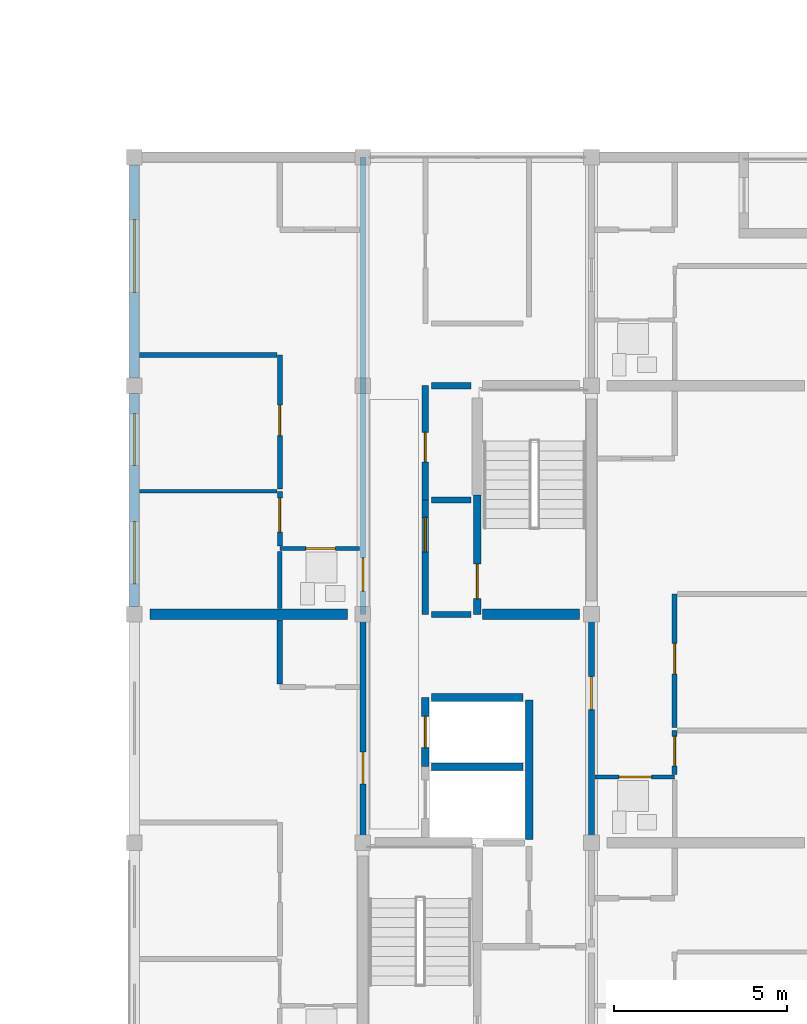
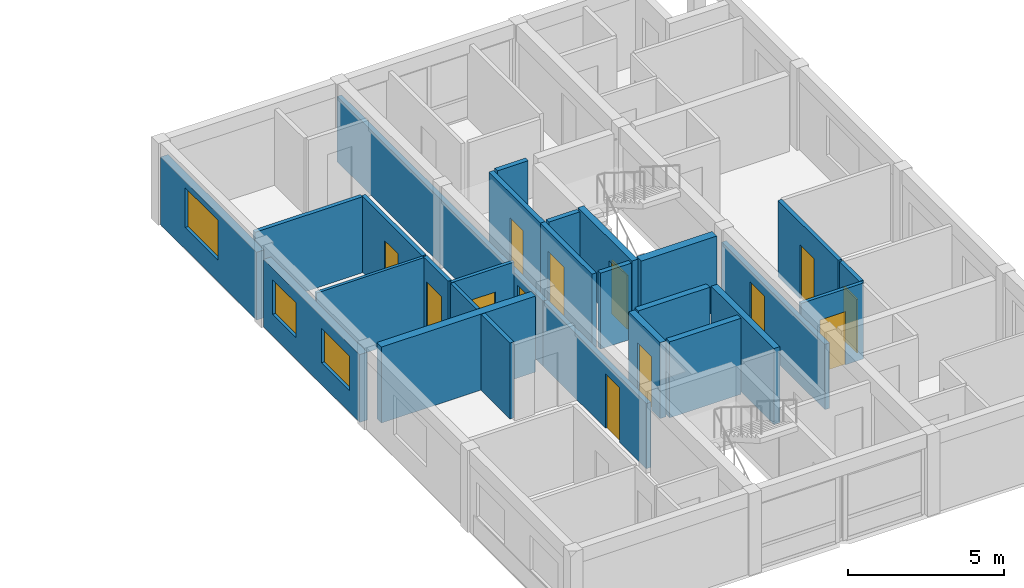
# One storey, part 29 of 46: 27 walls, 13 doors, 3 windows, 16 openings.
"""IFC4 building model written with IfcOpenShell, lengths in metres."""

from ifc_helpers import new_model, si_unit, direction, frame, frame_2d, origin, place, context, subcontext, project, spatial, rectangle, extrude, material, layer, layer_set, type_object, element, fill, save


model = new_model("IFC4")

# Units and contexts
model_context = context("Model", 3, precision=1e-05, world=origin(), true_north=direction((0.0, 1.0)))
body_context = subcontext(model_context, "Body", "Model", "MODEL_VIEW")
ifc_project = project(units=[si_unit("LENGTHUNIT", "METRE"), si_unit("AREAUNIT", "SQUARE_METRE"), si_unit("VOLUMEUNIT", "CUBIC_METRE"), si_unit("PLANEANGLEUNIT", "RADIAN"), si_unit("MASSUNIT", "GRAM", prefix="KILO")], contexts=[model_context])

# Site, building, storey
site_placement = place(None, origin())
site = spatial("IfcSite", under=ifc_project, at=site_placement, CompositionType="ELEMENT")
building_placement = place(site_placement, origin())
building = spatial("IfcBuilding", under=site, at=building_placement, Name="Kernevlak Ridge Housing Community", CompositionType="ELEMENT")
storey_placement = place(building_placement, frame((0.0, 0.0, 27.60009765625)))
storey = spatial("IfcBuildingStorey", under=building, at=storey_placement, Name="L08", CompositionType="ELEMENT", Elevation=27.60009765625)

# Wall, openings, windows
ifc_material_1 = material(Name="Concrete block masonry M10", Category="masonry")
ifc_layer_1 = layer(ifc_material_1, 0.280029296875, Name="Concrete block masonry M10")
ifc_layer_set_1 = layer_set([ifc_layer_1], Name="Concrete block masonry M10")
wall_type_1 = type_object("IfcWallType", Name="EW-03", PredefinedType="STANDARD", material=ifc_layer_set_1)
wall_1_placement = place(storey_placement, frame((126.0, 29.02490234375, 0.0), z_axis=(0.0, 0.0, 1.0), x_axis=(0.0, 1.0, 0.0)))
wall_1 = element("IfcWall", 1, at=wall_1_placement, inside=storey, type_object=wall_type_1, Name="Exterior wall EW-03 L08 644", PredefinedType="STANDARD", context=body_context, shape_type="SweptSolid", body=[
    extrude(rectangle(XDim=6.150146484375, YDim=0.280029296875, at=frame_2d((3.0751953125, 0.0))), origin(), (0.0, 0.0, 1.0), 2.64990234375),
])
opening_1_placement = place(wall_1_placement, frame((0.64990234375, 0.0, 0.85009765625)))
opening_1 = element("IfcOpeningElement", 2, at=opening_1_placement, cuts=wall_1, Name="Opening WT-03", PredefinedType="OPENING", context=body_context, shape_type="SweptSolid", body=[
    extrude(rectangle(XDim=1.800048828125, YDim=1.35009765625, at=frame_2d((0.89990234375, 0.675048828125))), frame((0.0, 0.14990234375, 0.0), z_axis=(0.0, -1.0, 0.0), x_axis=(1.0, 0.0, 0.0)), (0.0, 0.0, 1.0), 0.300048828125),
])
opening_2_placement = place(wall_1_placement, frame((4.074951171875, 0.0, 0.85009765625)))
opening_2 = element("IfcOpeningElement", 3, at=opening_2_placement, cuts=wall_1, Name="Opening WT-02", PredefinedType="OPENING", context=body_context, shape_type="SweptSolid", body=[
    extrude(rectangle(XDim=1.5, YDim=1.35009765625, at=frame_2d((0.75, 0.675048828125))), frame((0.0, 0.14990234375, 0.0), z_axis=(0.0, -1.0, 0.0), x_axis=(1.0, 0.0, 0.0)), (0.0, 0.0, 1.0), 0.300048828125),
])
ifc_material_2 = material(Name="Aluminium EN AW-6060 anodised and laminated glass", Category="aluminium")
window_type_1 = type_object("IfcWindowType", Name="WT-02", PartitioningType="SINGLE_PANEL", PredefinedType="WINDOW", material=ifc_material_2)
window_1_placement = place(opening_2_placement, origin())
window_1 = element("IfcWindow", 4, at=window_1_placement, inside=storey, type_object=window_type_1, Name="Window WT-02 L08 524", OverallHeight=1.35009765625, OverallWidth=1.5, PartitioningType="SINGLE_PANEL", PredefinedType="WINDOW", context=body_context, shape_type="SweptSolid", body=[
    extrude(rectangle(XDim=1.5, YDim=1.35009765625, at=frame_2d((0.75, 0.675048828125))), frame((0.0, 0.030029296875, 0.0), z_axis=(0.0, -1.0, 0.0), x_axis=(1.0, 0.0, 0.0)), (0.0, 0.0, 1.0), 0.06005859375),
])
fill(opening_2, window_1)
window_type_2 = type_object("IfcWindowType", Name="WT-03", PartitioningType="SINGLE_PANEL", PredefinedType="WINDOW", material=ifc_material_2)
window_2_placement = place(opening_1_placement, origin())
window_2 = element("IfcWindow", 5, at=window_2_placement, inside=storey, type_object=window_type_2, Name="Window WT-03 L08 523", OverallHeight=1.35009765625, OverallWidth=1.800048828125, PartitioningType="SINGLE_PANEL", PredefinedType="WINDOW", context=body_context, shape_type="SweptSolid", body=[
    extrude(rectangle(XDim=1.800048828125, YDim=1.35009765625, at=frame_2d((0.89990234375, 0.675048828125))), frame((0.0, 0.030029296875, 0.0), z_axis=(0.0, -1.0, 0.0), x_axis=(1.0, 0.0, 0.0)), (0.0, 0.0, 1.0), 0.06005859375),
])
fill(opening_1, window_2)

# Wall, opening, window
wall_2_placement = place(storey_placement, frame((126.0, 35.625, 0.0), z_axis=(0.0, 0.0, 1.0), x_axis=(0.0, 1.0, 0.0)))
wall_2 = element("IfcWall", 6, at=wall_2_placement, inside=storey, type_object=wall_type_1, Name="Exterior wall EW-03 L08 645", PredefinedType="STANDARD", context=body_context, shape_type="SweptSolid", body=[
    extrude(rectangle(XDim=6.14990234375, YDim=0.280029296875, at=frame_2d((3.074951171875, 0.0))), origin(), (0.0, 0.0, 1.0), 2.64990234375),
])
opening_3_placement = place(wall_2_placement, frame((2.470947265625, 0.0, 0.85009765625)))
opening_3 = element("IfcOpeningElement", 7, at=opening_3_placement, cuts=wall_2, Name="Opening WT-05", PredefinedType="OPENING", context=body_context, shape_type="SweptSolid", body=[
    extrude(rectangle(XDim=2.10009765625, YDim=1.550048828125, at=frame_2d((1.050048828125, 0.77490234375))), frame((0.0, 0.14990234375, 0.0), z_axis=(0.0, -1.0, 0.0), x_axis=(1.0, 0.0, 0.0)), (0.0, 0.0, 1.0), 0.300048828125),
])
window_type_3 = type_object("IfcWindowType", Name="WT-05", PartitioningType="SINGLE_PANEL", PredefinedType="WINDOW", material=ifc_material_2)
window_3_placement = place(opening_3_placement, origin())
window_3 = element("IfcWindow", 8, at=window_3_placement, inside=storey, type_object=window_type_3, Name="Window WT-05 L08 525", OverallHeight=1.550048828125, OverallWidth=2.10009765625, PartitioningType="SINGLE_PANEL", PredefinedType="WINDOW", context=body_context, shape_type="SweptSolid", body=[
    extrude(rectangle(XDim=2.10009765625, YDim=1.550048828125, at=frame_2d((1.050048828125, 0.77490234375))), frame((0.0, 0.030029296875, 0.0), z_axis=(0.0, -1.0, 0.0), x_axis=(1.0, 0.0, 0.0)), (0.0, 0.0, 1.0), 0.06005859375),
])
fill(opening_3, window_3)

# Wall, opening, door
ifc_material_3 = material(Name="Concrete C35/45", Category="concrete")
ifc_layer_2 = layer(ifc_material_3, 0.22509765625, Name="Concrete C35/45")
ifc_layer_set_2 = layer_set([ifc_layer_2], Name="Concrete C35/45")
wall_type_2 = type_object("IfcWallType", Name="PW-01", PredefinedType="STANDARD", material=ifc_layer_set_2)
wall_3_placement = place(storey_placement, frame((134.39990234375, 24.39990234375, 0.0), z_axis=(0.0, 0.0, 1.0), x_axis=(0.0, 1.0, 0.0)))
wall_3 = element("IfcWall", 9, at=wall_3_placement, inside=storey, type_object=wall_type_2, Name="Interior wall PW-01 WAL-INT-L08-2612", PredefinedType="STANDARD", context=body_context, shape_type="SweptSolid", body=[
    extrude(rectangle(XDim=2.0, YDim=0.22509765625, at=frame_2d((1.0, 0.0))), origin(), (0.0, 0.0, 1.0), 2.969970703125),
])
opening_4_placement = place(wall_3_placement, frame((0.550048828125, 0.0, 0.0)))
opening_4 = element("IfcOpeningElement", 10, at=opening_4_placement, cuts=wall_3, Name="Opening LD72", PredefinedType="OPENING", context=body_context, shape_type="SweptSolid", body=[
    extrude(rectangle(XDim=0.89990234375, YDim=2.10009765625, at=frame_2d((0.449951171875, 1.050048828125))), frame((0.0, 0.12255859375, 0.0), z_axis=(0.0, -1.0, 0.0), x_axis=(1.0, 0.0, 0.0)), (0.0, 0.0, 1.0), 0.2451171875),
])
ifc_material_4 = material(Name="Stainless steel EN 1.4401", Category="steel")
door_type_1 = type_object("IfcDoorType", Name="DT-LD2", OperationType="DOUBLE_DOOR_SLIDING", PredefinedType="DOOR", material=ifc_material_4)
door_1_placement = place(opening_4_placement, origin())
door_1 = element("IfcDoor", 11, at=door_1_placement, inside=storey, type_object=door_type_1, Name="Lift LF-C2 landing door LD72", OperationType="DOUBLE_DOOR_SLIDING", OverallHeight=2.10009765625, OverallWidth=0.89990234375, PredefinedType="DOOR", context=body_context, shape_type="SweptSolid", body=[
    extrude(rectangle(XDim=0.89990234375, YDim=2.10009765625, at=frame_2d((0.449951171875, 1.050048828125))), frame((0.0, 0.02490234375, 0.0), z_axis=(0.0, -1.0, 0.0), x_axis=(1.0, 0.0, 0.0)), (0.0, 0.0, 1.0), 0.050048828125),
])
fill(opening_4, door_1)

# Walls
wall_4_placement = place(storey_placement, frame((137.39990234375, 22.297607421875, 0.0), z_axis=(0.0, 0.0, 1.0), x_axis=(0.0, 1.0, 0.0)))
element("IfcWall", 12, at=wall_4_placement, inside=storey, type_object=wall_type_2, Name="Interior wall PW-01 WAL-INT-L08-2613", PredefinedType="STANDARD", context=body_context, shape_type="SweptSolid", body=[
    extrude(rectangle(XDim=4.0224609375, YDim=0.22509765625, at=frame_2d((2.01123046875, 0.0))), origin(), (0.0, 0.0, 1.0), 2.969970703125),
])
for number, where, z_axis, x_axis, name in (
    (13, (134.580078125, 24.39990234375, 0.0), (0.0, 0.0, 1.0), (1.0, 0.0, 0.0), "Interior wall PW-01 WAL-INT-L08-2615"),
    (14, (134.580078125, 26.39990234375, 0.0), (0.0, 0.0, 1.0), (1.0, 0.0, 0.0), "Interior wall PW-01 WAL-INT-L08-2616"),
):
    element("IfcWall", number, at=place(storey_placement, frame(where, z_axis=z_axis, x_axis=x_axis)), inside=storey, type_object=wall_type_2, Name=name, PredefinedType="STANDARD", context=body_context, shape_type="SweptSolid", body=[
        extrude(rectangle(XDim=2.639892578125, YDim=0.22509765625, at=frame_2d((1.31982421875, 0.0))), origin(), (0.0, 0.0, 1.0), 2.969970703125),
    ])

# Wall, opening, door
wall_5_placement = place(storey_placement, frame((135.89990234375, 28.800048828125, 0.0), z_axis=(0.0, 0.0, 1.0), x_axis=(0.0, 1.0, 0.0)))
wall_5 = element("IfcWall", 15, at=wall_5_placement, inside=storey, type_object=wall_type_2, Name="Interior wall PW-01 WAL-INT-L08-2617", PredefinedType="STANDARD", context=body_context, shape_type="SweptSolid", body=[
    extrude(rectangle(XDim=3.449951171875, YDim=0.22509765625, at=frame_2d((1.72509765625, 0.0))), origin(), (0.0, 0.0, 1.0), 2.969970703125),
])
opening_5_placement = place(wall_5_placement, frame((0.449951171875, 0.0, 0.0)))
opening_5 = element("IfcOpeningElement", 16, at=opening_5_placement, cuts=wall_5, Name="Opening E326", PredefinedType="OPENING", context=body_context, shape_type="SweptSolid", body=[
    extrude(rectangle(XDim=1.0, YDim=2.10009765625, at=frame_2d((0.5, 1.050048828125))), frame((0.0, 0.12255859375, 0.0), z_axis=(0.0, -1.0, 0.0), x_axis=(1.0, 0.0, 0.0)), (0.0, 0.0, 1.0), 0.2451171875),
])
ifc_material_5 = material(Name="Fire-rated sheet steel leaf", Category="steel")
door_type_2 = type_object("IfcDoorType", Name="DT-05", OperationType="NOTDEFINED", PredefinedType="DOOR", material=ifc_material_5)
door_2_placement = place(opening_5_placement, origin())
door_2 = element("IfcDoor", 17, at=door_2_placement, inside=storey, type_object=door_type_2, Name="Block C Stair 2 fire door E326", OperationType="SINGLE_SWING_LEFT", OverallHeight=2.10009765625, OverallWidth=1.0, PredefinedType="DOOR", context=body_context, shape_type="SweptSolid", body=[
    extrude(rectangle(XDim=1.0, YDim=2.10009765625, at=frame_2d((0.5, 1.050048828125))), frame((0.0, 0.02490234375, 0.0), z_axis=(0.0, -1.0, 0.0), x_axis=(1.0, 0.0, 0.0)), (0.0, 0.0, 1.0), 0.050048828125),
])
fill(opening_5, door_2)

ifc_layer_3 = layer(ifc_material_1, 0.175048828125, Name="Concrete block masonry M10")
ifc_layer_set_3 = layer_set([ifc_layer_3], Name="Concrete block masonry M10")
wall_type_3 = type_object("IfcWallType", Name="PW-02", PredefinedType="PARTITIONING", material=ifc_layer_set_3)
wall_6_placement = place(storey_placement, frame((134.39990234375, 28.800048828125, 0.0), z_axis=(0.0, 0.0, 1.0), x_axis=(0.0, 1.0, 0.0)))
wall_6 = element("IfcWall", 18, at=wall_6_placement, inside=storey, type_object=wall_type_3, Name="Interior wall PW-02 WAL-INT-L08-2618", PredefinedType="PARTITIONING", context=body_context, shape_type="SweptSolid", body=[
    extrude(rectangle(XDim=3.300048828125, YDim=0.175048828125, at=frame_2d((1.64990234375, 0.0))), origin(), (0.0, 0.0, 1.0), 2.969970703125),
])
opening_6_placement = place(wall_6_placement, frame((1.800048828125, 0.0, 0.0)))
opening_6 = element("IfcOpeningElement", 19, at=opening_6_placement, cuts=wall_6, Name="Opening E327", PredefinedType="OPENING", context=body_context, shape_type="SweptSolid", body=[
    extrude(rectangle(XDim=1.0, YDim=2.159912109375, at=frame_2d((0.5, 1.080078125))), frame((0.0, 0.097412109375, 0.0), z_axis=(0.0, -1.0, 0.0), x_axis=(1.0, 0.0, 0.0)), (0.0, 0.0, 1.0), 0.195068359375),
])
door_type_3 = type_object("IfcDoorType", Name="DT-15", OperationType="NOTDEFINED", PredefinedType="DOOR", material=ifc_material_5)
door_3_placement = place(opening_6_placement, origin())
door_3 = element("IfcDoor", 20, at=door_3_placement, inside=storey, type_object=door_type_3, Name="Block C Firefighting lobby 2 door E327", OperationType="SINGLE_SWING_RIGHT", OverallHeight=2.159912109375, OverallWidth=1.0, PredefinedType="DOOR", context=body_context, shape_type="SweptSolid", body=[
    extrude(rectangle(XDim=1.0, YDim=2.159912109375, at=frame_2d((0.5, 1.080078125))), frame((0.0, 0.02490234375, 0.0), z_axis=(0.0, -1.0, 0.0), x_axis=(1.0, 0.0, 0.0)), (0.0, 0.0, 1.0), 0.050048828125),
])
fill(opening_6, door_3)

wall_7_placement = place(storey_placement, frame((134.39990234375, 32.10009765625, 0.0), z_axis=(0.0, 0.0, 1.0), x_axis=(0.0, 1.0, 0.0)))
wall_7 = element("IfcWall", 21, at=wall_7_placement, inside=storey, type_object=wall_type_3, Name="Interior wall PW-02 WAL-INT-L08-2619", PredefinedType="PARTITIONING", context=body_context, shape_type="SweptSolid", body=[
    extrude(rectangle(XDim=3.2998046875, YDim=0.175048828125, at=frame_2d((1.64990234375, 0.0))), origin(), (0.0, 0.0, 1.0), 2.969970703125),
])
opening_7_placement = place(wall_7_placement, frame((1.10009765625, 0.0, 0.0)))
opening_7 = element("IfcOpeningElement", 22, at=opening_7_placement, cuts=wall_7, Name="Opening E328", PredefinedType="OPENING", context=body_context, shape_type="SweptSolid", body=[
    extrude(rectangle(XDim=0.85009765625, YDim=2.0, at=frame_2d((0.425048828125, 1.0))), frame((0.0, 0.097412109375, 0.0), z_axis=(0.0, -1.0, 0.0), x_axis=(1.0, 0.0, 0.0)), (0.0, 0.0, 1.0), 0.195068359375),
])
door_type_4 = type_object("IfcDoorType", Name="DT-07", OperationType="NOTDEFINED", PredefinedType="DOOR", material=ifc_material_5)
door_4_placement = place(opening_7_placement, origin())
door_4 = element("IfcDoor", 23, at=door_4_placement, inside=storey, type_object=door_type_4, Name="Block C Cleaner store door E328", OperationType="SINGLE_SWING_LEFT", OverallHeight=2.0, OverallWidth=0.85009765625, PredefinedType="DOOR", context=body_context, shape_type="SweptSolid", body=[
    extrude(rectangle(XDim=0.85009765625, YDim=2.0, at=frame_2d((0.425048828125, 1.0))), frame((0.0, 0.02490234375, 0.0), z_axis=(0.0, -1.0, 0.0), x_axis=(1.0, 0.0, 0.0)), (0.0, 0.0, 1.0), 0.050048828125),
])
fill(opening_7, door_4)

# Walls
for number, where, z_axis, x_axis, name in (
    (24, (134.580078125, 28.800048828125, 0.0), (0.0, 0.0, 1.0), (1.0, 0.0, 0.0), "Interior wall PW-02 WAL-INT-L08-2620"),
    (25, (134.580078125, 32.10009765625, 0.0), (0.0, 0.0, 1.0), (1.0, 0.0, 0.0), "Interior wall PW-02 WAL-INT-L08-2621"),
    (26, (134.580078125, 35.39990234375, 0.0), (0.0, 0.0, 1.0), (1.0, 0.0, 0.0), "Interior wall PW-02 WAL-INT-L08-2622"),
):
    element("IfcWall", number, at=place(storey_placement, frame(where, z_axis=z_axis, x_axis=x_axis)), inside=storey, type_object=wall_type_3, Name=name, PredefinedType="PARTITIONING", context=body_context, shape_type="SweptSolid", body=[
        extrude(rectangle(XDim=1.139892578125, YDim=0.175048828125, at=frame_2d((0.56982421875, 0.0))), origin(), (0.0, 0.0, 1.0), 2.969970703125),
    ])

# Wall, opening, door
wall_8_placement = place(storey_placement, frame((132.60009765625, 22.199951171875, 0.0), z_axis=(0.0, 0.0, 1.0), x_axis=(0.0, 1.0, 0.0)))
wall_8 = element("IfcWall", 27, at=wall_8_placement, inside=storey, type_object=wall_type_3, Name="Interior wall PW-02 WAL-INT-L08-2626", PredefinedType="PARTITIONING", context=body_context, shape_type="SweptSolid", body=[
    extrude(rectangle(XDim=6.60009765625, YDim=0.175048828125, at=frame_2d((3.300048828125, 0.0))), origin(), (0.0, 0.0, 1.0), 2.5498046875),
])
opening_8_placement = place(wall_8_placement, frame((1.699951171875, 0.0, 0.0)))
opening_8 = element("IfcOpeningElement", 28, at=opening_8_placement, cuts=wall_8, Name="Opening E330", PredefinedType="OPENING", context=body_context, shape_type="SweptSolid", body=[
    extrude(rectangle(XDim=0.919921875, YDim=2.139892578125, at=frame_2d((0.4599609375, 1.06982421875))), frame((0.0, 0.097412109375, 0.0), z_axis=(0.0, -1.0, 0.0), x_axis=(1.0, 0.0, 0.0)), (0.0, 0.0, 1.0), 0.195068359375),
])
ifc_material_6 = material(Name="Hardwood timber solid-core fire leaf", Category="wood")
door_type_5 = type_object("IfcDoorType", Name="DT-20", OperationType="NOTDEFINED", PredefinedType="DOOR", material=ifc_material_6)
door_5_placement = place(opening_8_placement, origin())
door_5 = element("IfcDoor", 29, at=door_5_placement, inside=storey, type_object=door_type_5, Name="Flat C0811 entrance fire door E330", OperationType="SINGLE_SWING_LEFT", OverallHeight=2.139892578125, OverallWidth=0.919921875, PredefinedType="DOOR", context=body_context, shape_type="SweptSolid", body=[
    extrude(rectangle(XDim=0.919921875, YDim=2.139892578125, at=frame_2d((0.4599609375, 1.06982421875))), frame((0.0, 0.02490234375, 0.0), z_axis=(0.0, -1.0, 0.0), x_axis=(1.0, 0.0, 0.0)), (0.0, 0.0, 1.0), 0.050048828125),
])
fill(opening_8, door_5)

wall_9_placement = place(storey_placement, frame((132.60009765625, 28.800048828125, 0.0), z_axis=(0.0, 0.0, 1.0), x_axis=(0.0, 1.0, 0.0)))
wall_9 = element("IfcWall", 30, at=wall_9_placement, inside=storey, type_object=wall_type_3, Name="Interior wall PW-02 WAL-INT-L08-2635", PredefinedType="PARTITIONING", context=body_context, shape_type="SweptSolid", body=[
    extrude(rectangle(XDim=13.199951171875, YDim=0.175048828125, at=frame_2d((6.60009765625, 0.0))), origin(), (0.0, 0.0, 1.0), 2.5498046875),
])
opening_9_placement = place(wall_9_placement, frame((0.669921875, 0.0, 0.0)))
opening_9 = element("IfcOpeningElement", 31, at=opening_9_placement, cuts=wall_9, Name="Opening E335", PredefinedType="OPENING", context=body_context, shape_type="SweptSolid", body=[
    extrude(rectangle(XDim=0.9599609375, YDim=2.179931640625, at=frame_2d((0.47998046875, 1.08984375))), frame((0.0, 0.097412109375, 0.0), z_axis=(0.0, -1.0, 0.0), x_axis=(1.0, 0.0, 0.0)), (0.0, 0.0, 1.0), 0.195068359375),
])
door_type_6 = type_object("IfcDoorType", Name="DT-29", OperationType="NOTDEFINED", PredefinedType="DOOR", material=ifc_material_6)
door_6_placement = place(opening_9_placement, origin())
door_6 = element("IfcDoor", 32, at=door_6_placement, inside=storey, type_object=door_type_6, Name="Flat C0812 entrance fire door E335", OperationType="SINGLE_SWING_RIGHT", OverallHeight=2.179931640625, OverallWidth=0.9599609375, PredefinedType="DOOR", context=body_context, shape_type="SweptSolid", body=[
    extrude(rectangle(XDim=0.9599609375, YDim=2.179931640625, at=frame_2d((0.47998046875, 1.08984375))), frame((0.0, 0.02490234375, 0.0), z_axis=(0.0, -1.0, 0.0), x_axis=(1.0, 0.0, 0.0)), (0.0, 0.0, 1.0), 0.050048828125),
])
fill(opening_9, door_6)

wall_10_placement = place(storey_placement, frame((139.199951171875, 22.199951171875, 0.0), z_axis=(0.0, 0.0, 1.0), x_axis=(0.0, 1.0, 0.0)))
wall_10 = element("IfcWall", 33, at=wall_10_placement, inside=storey, type_object=wall_type_3, Name="Interior wall PW-02 WAL-INT-L08-2652", PredefinedType="PARTITIONING", context=body_context, shape_type="SweptSolid", body=[
    extrude(rectangle(XDim=6.60009765625, YDim=0.175048828125, at=frame_2d((3.300048828125, 0.0))), origin(), (0.0, 0.0, 1.0), 2.5498046875),
])
opening_10_placement = place(wall_10_placement, frame((3.85009765625, 0.0, 0.0)))
opening_10 = element("IfcOpeningElement", 34, at=opening_10_placement, cuts=wall_10, Name="Opening E344", PredefinedType="OPENING", context=body_context, shape_type="SweptSolid", body=[
    extrude(rectangle(XDim=0.949951171875, YDim=2.10009765625, at=frame_2d((0.47509765625, 1.050048828125))), frame((0.0, 0.097412109375, 0.0), z_axis=(0.0, -1.0, 0.0), x_axis=(1.0, 0.0, 0.0)), (0.0, 0.0, 1.0), 0.195068359375),
])
door_type_7 = type_object("IfcDoorType", Name="DT-01", OperationType="NOTDEFINED", PredefinedType="DOOR", material=ifc_material_6)
door_7_placement = place(opening_10_placement, origin())
door_7 = element("IfcDoor", 35, at=door_7_placement, inside=storey, type_object=door_type_7, Name="Flat C0822 entrance fire door E344", OperationType="SINGLE_SWING_LEFT", OverallHeight=2.10009765625, OverallWidth=0.949951171875, PredefinedType="DOOR", context=body_context, shape_type="SweptSolid", body=[
    extrude(rectangle(XDim=0.949951171875, YDim=2.10009765625, at=frame_2d((0.47509765625, 1.050048828125))), frame((0.0, 0.02490234375, 0.0), z_axis=(0.0, -1.0, 0.0), x_axis=(1.0, 0.0, 0.0)), (0.0, 0.0, 1.0), 0.050048828125),
])
fill(opening_10, door_7)

ifc_layer_4 = layer(ifc_material_1, 0.14501953125, Name="Concrete block masonry M10")
ifc_layer_set_4 = layer_set([ifc_layer_4], Name="Concrete block masonry M10")
wall_type_4 = type_object("IfcWallType", Name="PW-03", PredefinedType="PARTITIONING", material=ifc_layer_set_4)
wall_11_placement = place(storey_placement, frame((130.199951171875, 30.7724609375, 0.0), z_axis=(0.0, 0.0, 1.0), x_axis=(0.0, 1.0, 0.0)))
wall_11 = element("IfcWall", 36, at=wall_11_placement, inside=storey, type_object=wall_type_4, Name="Interior wall PW-03 WAL-INT-L08-2640", PredefinedType="PARTITIONING", context=body_context, shape_type="SweptSolid", body=[
    extrude(rectangle(XDim=1.57763671875, YDim=0.14501953125, at=frame_2d((0.788818359375, 0.0))), origin(), (0.0, 0.0, 1.0), 2.969970703125),
])
opening_11_placement = place(wall_11_placement, frame((0.39990234375, 0.0, 0.0)))
opening_11 = element("IfcOpeningElement", 37, at=opening_11_placement, cuts=wall_11, Name="Opening E338", PredefinedType="OPENING", context=body_context, shape_type="SweptSolid", body=[
    extrude(rectangle(XDim=0.97998046875, YDim=2.1201171875, at=frame_2d((0.489990234375, 1.06005859375))), frame((0.0, 0.08251953125, 0.0), z_axis=(0.0, -1.0, 0.0), x_axis=(1.0, 0.0, 0.0)), (0.0, 0.0, 1.0), 0.1650390625),
])
ifc_material_7 = material(Name="Hardwood timber leaf", Category="wood")
door_type_8 = type_object("IfcDoorType", Name="DT-24", OperationType="NOTDEFINED", PredefinedType="DOOR", material=ifc_material_7)
door_8_placement = place(opening_11_placement, origin())
door_8 = element("IfcDoor", 38, at=door_8_placement, inside=storey, type_object=door_type_8, Name="Flat C0812 bedroom door E338", OperationType="SINGLE_SWING_LEFT", OverallHeight=2.1201171875, OverallWidth=0.97998046875, PredefinedType="DOOR", context=body_context, shape_type="SweptSolid", body=[
    extrude(rectangle(XDim=0.97998046875, YDim=2.1201171875, at=frame_2d((0.489990234375, 1.06005859375))), frame((0.0, 0.02490234375, 0.0), z_axis=(0.0, -1.0, 0.0), x_axis=(1.0, 0.0, 0.0)), (0.0, 0.0, 1.0), 0.050048828125),
])
fill(opening_11, door_8)

wall_12_placement = place(storey_placement, frame((130.199951171875, 32.41259765625, 0.0), z_axis=(0.0, 0.0, 1.0), x_axis=(0.0, 1.0, 0.0)))
wall_12 = element("IfcWall", 39, at=wall_12_placement, inside=storey, type_object=wall_type_4, Name="Interior wall PW-03 WAL-INT-L08-2642", PredefinedType="PARTITIONING", context=body_context, shape_type="SweptSolid", body=[
    extrude(rectangle(XDim=3.87939453125, YDim=0.14501953125, at=frame_2d((1.939697265625, 0.0))), origin(), (0.0, 0.0, 1.0), 2.969970703125),
])
opening_12_placement = place(wall_12_placement, frame((1.5458984375, 0.0, 0.0)))
opening_12 = element("IfcOpeningElement", 40, at=opening_12_placement, cuts=wall_12, Name="Opening E339", PredefinedType="OPENING", context=body_context, shape_type="SweptSolid", body=[
    extrude(rectangle(XDim=0.8798828125, YDim=2.10009765625, at=frame_2d((0.43994140625, 1.050048828125))), frame((0.0, 0.08251953125, 0.0), z_axis=(0.0, -1.0, 0.0), x_axis=(1.0, 0.0, 0.0)), (0.0, 0.0, 1.0), 0.1650390625),
])
door_type_9 = type_object("IfcDoorType", Name="DT-25", OperationType="NOTDEFINED", PredefinedType="DOOR", material=ifc_material_7)
door_9_placement = place(opening_12_placement, origin())
door_9 = element("IfcDoor", 41, at=door_9_placement, inside=storey, type_object=door_type_9, Name="Flat C0812 bedroom door E339", OperationType="SINGLE_SWING_RIGHT", OverallHeight=2.10009765625, OverallWidth=0.8798828125, PredefinedType="DOOR", context=body_context, shape_type="SweptSolid", body=[
    extrude(rectangle(XDim=0.8798828125, YDim=2.10009765625, at=frame_2d((0.43994140625, 1.050048828125))), frame((0.0, 0.02490234375, 0.0), z_axis=(0.0, -1.0, 0.0), x_axis=(1.0, 0.0, 0.0)), (0.0, 0.0, 1.0), 0.050048828125),
])
fill(opening_12, door_9)

# Wall
wall_13_placement = place(storey_placement, frame((130.117431640625, 36.2919921875, 0.0), z_axis=(0.0, 0.0, 1.0), x_axis=(-1.0, 0.0, 0.0)))
element("IfcWall", 42, at=wall_13_placement, inside=storey, type_object=wall_type_4, Name="Interior wall PW-03 WAL-INT-L08-2643", PredefinedType="PARTITIONING", context=body_context, shape_type="SweptSolid", body=[
    extrude(rectangle(XDim=3.967529296875, YDim=0.14501953125, at=frame_2d((1.98388671875, 0.0))), origin(), (0.0, 0.0, 1.0), 2.969970703125),
])

# Wall, opening, door
wall_14_placement = place(storey_placement, frame((141.60009765625, 24.172607421875, 0.0), z_axis=(0.0, 0.0, 1.0), x_axis=(0.0, 1.0, 0.0)))
wall_14 = element("IfcWall", 43, at=wall_14_placement, inside=storey, type_object=wall_type_4, Name="Interior wall PW-03 WAL-INT-L08-2657", PredefinedType="PARTITIONING", context=body_context, shape_type="SweptSolid", body=[
    extrude(rectangle(XDim=1.27734375, YDim=0.14501953125, at=frame_2d((0.638671875, 0.0))), origin(), (0.0, 0.0, 1.0), 2.969970703125),
])
opening_13_placement = place(wall_14_placement, frame((0.25, 0.0, 0.0)))
opening_13 = element("IfcOpeningElement", 44, at=opening_13_placement, cuts=wall_14, Name="Opening E347", PredefinedType="OPENING", context=body_context, shape_type="SweptSolid", body=[
    extrude(rectangle(XDim=0.85009765625, YDim=2.10009765625, at=frame_2d((0.425048828125, 1.050048828125))), frame((0.0, 0.08251953125, 0.0), z_axis=(0.0, -1.0, 0.0), x_axis=(1.0, 0.0, 0.0)), (0.0, 0.0, 1.0), 0.1650390625),
])
door_type_10 = type_object("IfcDoorType", Name="DT-03", OperationType="NOTDEFINED", PredefinedType="DOOR", material=ifc_material_7)
door_10_placement = place(opening_13_placement, origin())
door_10 = element("IfcDoor", 45, at=door_10_placement, inside=storey, type_object=door_type_10, Name="Flat C0822 bedroom door E347", OperationType="SINGLE_SWING_RIGHT", OverallHeight=2.10009765625, OverallWidth=0.85009765625, PredefinedType="DOOR", context=body_context, shape_type="SweptSolid", body=[
    extrude(rectangle(XDim=0.85009765625, YDim=2.10009765625, at=frame_2d((0.425048828125, 1.050048828125))), frame((0.0, 0.02490234375, 0.0), z_axis=(0.0, -1.0, 0.0), x_axis=(1.0, 0.0, 0.0)), (0.0, 0.0, 1.0), 0.050048828125),
])
fill(opening_13, door_10)

wall_15_placement = place(storey_placement, frame((141.60009765625, 25.532470703125, 0.0), z_axis=(0.0, 0.0, 1.0), x_axis=(0.0, 1.0, 0.0)))
wall_15 = element("IfcWall", 46, at=wall_15_placement, inside=storey, type_object=wall_type_4, Name="Interior wall PW-03 WAL-INT-L08-2659", PredefinedType="PARTITIONING", context=body_context, shape_type="SweptSolid", body=[
    extrude(rectangle(XDim=3.859619140625, YDim=0.14501953125, at=frame_2d((1.9296875, 0.0))), origin(), (0.0, 0.0, 1.0), 2.969970703125),
])
opening_14_placement = place(wall_15_placement, frame((1.5458984375, 0.0, 0.0)))
opening_14 = element("IfcOpeningElement", 47, at=opening_14_placement, cuts=wall_15, Name="Opening E348", PredefinedType="OPENING", context=body_context, shape_type="SweptSolid", body=[
    extrude(rectangle(XDim=0.8798828125, YDim=2.10009765625, at=frame_2d((0.43994140625, 1.050048828125))), frame((0.0, 0.08251953125, 0.0), z_axis=(0.0, -1.0, 0.0), x_axis=(1.0, 0.0, 0.0)), (0.0, 0.0, 1.0), 0.1650390625),
])
door_11_placement = place(opening_14_placement, origin())
door_11 = element("IfcDoor", 48, at=door_11_placement, inside=storey, type_object=door_type_9, Name="Flat C0822 bedroom door E348", OperationType="SINGLE_SWING_LEFT", OverallHeight=2.10009765625, OverallWidth=0.8798828125, PredefinedType="DOOR", context=body_context, shape_type="SweptSolid", body=[
    extrude(rectangle(XDim=0.8798828125, YDim=2.10009765625, at=frame_2d((0.43994140625, 1.050048828125))), frame((0.0, 0.02490234375, 0.0), z_axis=(0.0, -1.0, 0.0), x_axis=(1.0, 0.0, 0.0)), (0.0, 0.0, 1.0), 0.050048828125),
])
fill(opening_14, door_11)

ifc_material_8 = material(Name="Gypsum plasterboard EN 520", Category="gypsum")
ifc_layer_5 = layer(ifc_material_8, 0.125, Name="Gypsum plasterboard EN 520")
ifc_layer_set_5 = layer_set([ifc_layer_5], Name="Gypsum plasterboard EN 520")
wall_type_5 = type_object("IfcWallType", Name="PW-04", PredefinedType="PARTITIONING", material=ifc_layer_set_5)
wall_16_placement = place(storey_placement, frame((132.50244140625, 30.699951171875, 0.0), z_axis=(0.0, 0.0, 1.0), x_axis=(-1.0, 0.0, 0.0)))
wall_16 = element("IfcWall", 49, at=wall_16_placement, inside=storey, type_object=wall_type_5, Name="Interior wall PW-04 WAL-INT-L08-2636", PredefinedType="PARTITIONING", context=body_context, shape_type="SweptSolid", body=[
    extrude(rectangle(XDim=2.302490234375, YDim=0.125, at=frame_2d((1.1513671875, 0.0))), origin(), (0.0, 0.0, 1.0), 2.969970703125),
])
opening_15_placement = place(wall_16_placement, frame((0.699951171875, 0.0, 0.0)))
opening_15 = element("IfcOpeningElement", 50, at=opening_15_placement, cuts=wall_16, Name="Opening E336", PredefinedType="OPENING", context=body_context, shape_type="SweptSolid", body=[
    extrude(rectangle(XDim=0.85009765625, YDim=2.0400390625, at=frame_2d((0.425048828125, 1.02001953125))), frame((0.0, 0.072509765625, 0.0), z_axis=(0.0, -1.0, 0.0), x_axis=(1.0, 0.0, 0.0)), (0.0, 0.0, 1.0), 0.14501953125),
])
ifc_material_9 = material(Name="Hardwood timber moisture-resistant leaf", Category="wood")
door_type_11 = type_object("IfcDoorType", Name="DT-04", OperationType="NOTDEFINED", PredefinedType="DOOR", material=ifc_material_9)
door_12_placement = place(opening_15_placement, origin())
door_12 = element("IfcDoor", 51, at=door_12_placement, inside=storey, type_object=door_type_11, Name="Flat C0812 bathroom door E336", OperationType="SINGLE_SWING_LEFT", OverallHeight=2.0400390625, OverallWidth=0.85009765625, PredefinedType="DOOR", context=body_context, shape_type="SweptSolid", body=[
    extrude(rectangle(XDim=0.85009765625, YDim=2.0400390625, at=frame_2d((0.425048828125, 1.02001953125))), frame((0.0, 0.02490234375, 0.0), z_axis=(0.0, -1.0, 0.0), x_axis=(1.0, 0.0, 0.0)), (0.0, 0.0, 1.0), 0.050048828125),
])
fill(opening_15, door_12)

# Wall
wall_17_placement = place(storey_placement, frame((130.199951171875, 28.9599609375, 0.0), z_axis=(0.0, 0.0, 1.0), x_axis=(0.0, 1.0, 0.0)))
element("IfcWall", 52, at=wall_17_placement, inside=storey, type_object=wall_type_5, Name="Interior wall PW-04 WAL-INT-L08-2637", PredefinedType="PARTITIONING", context=body_context, shape_type="SweptSolid", body=[
    extrude(rectangle(XDim=1.66015625, YDim=0.125, at=frame_2d((0.830078125, 0.0))), origin(), (0.0, 0.0, 1.0), 2.969970703125),
])

# Wall, opening, door
wall_18_placement = place(storey_placement, frame((139.297607421875, 24.10009765625, 0.0), z_axis=(0.0, 0.0, 1.0), x_axis=(1.0, 0.0, 0.0)))
wall_18 = element("IfcWall", 53, at=wall_18_placement, inside=storey, type_object=wall_type_5, Name="Interior wall PW-04 WAL-INT-L08-2653", PredefinedType="PARTITIONING", context=body_context, shape_type="SweptSolid", body=[
    extrude(rectangle(XDim=2.302490234375, YDim=0.125, at=frame_2d((1.1513671875, 0.0))), origin(), (0.0, 0.0, 1.0), 2.969970703125),
])
opening_16_placement = place(wall_18_placement, frame((0.699951171875, 0.0, 0.0)))
opening_16 = element("IfcOpeningElement", 54, at=opening_16_placement, cuts=wall_18, Name="Opening E345", PredefinedType="OPENING", context=body_context, shape_type="SweptSolid", body=[
    extrude(rectangle(XDim=0.93994140625, YDim=2.080078125, at=frame_2d((0.469970703125, 1.0400390625))), frame((0.0, 0.072509765625, 0.0), z_axis=(0.0, -1.0, 0.0), x_axis=(1.0, 0.0, 0.0)), (0.0, 0.0, 1.0), 0.14501953125),
])
door_type_12 = type_object("IfcDoorType", Name="DT-23", OperationType="NOTDEFINED", PredefinedType="DOOR", material=ifc_material_9)
door_13_placement = place(opening_16_placement, origin())
door_13 = element("IfcDoor", 55, at=door_13_placement, inside=storey, type_object=door_type_12, Name="Flat C0822 bathroom door E345", OperationType="SINGLE_SWING_RIGHT", OverallHeight=2.080078125, OverallWidth=0.93994140625, PredefinedType="DOOR", context=body_context, shape_type="SweptSolid", body=[
    extrude(rectangle(XDim=0.93994140625, YDim=2.080078125, at=frame_2d((0.469970703125, 1.0400390625))), frame((0.0, 0.02490234375, 0.0), z_axis=(0.0, -1.0, 0.0), x_axis=(1.0, 0.0, 0.0)), (0.0, 0.0, 1.0), 0.050048828125),
])
fill(opening_16, door_13)

# Walls
ifc_layer_6 = layer(ifc_material_8, 0.155029296875, Name="Gypsum plasterboard EN 520")
ifc_layer_set_6 = layer_set([ifc_layer_6], Name="Gypsum plasterboard EN 520")
wall_type_6 = type_object("IfcWallType", Name="PW-05", PredefinedType="PARTITIONING", material=ifc_layer_set_6)
wall_19_placement = place(storey_placement, frame((130.199951171875, 26.78759765625, 0.0), z_axis=(0.0, 0.0, 1.0), x_axis=(0.0, 1.0, 0.0)))
element("IfcWall", 56, at=wall_19_placement, inside=storey, type_object=wall_type_6, Name="Interior wall PW-05 WAL-INT-L08-2630", PredefinedType="PARTITIONING", context=body_context, shape_type="SweptSolid", body=[
    extrude(rectangle(XDim=1.852294921875, YDim=0.155029296875, at=frame_2d((0.92626953125, 0.0))), origin(), (0.0, 0.0, 1.0), 2.969970703125),
])
ifc_layer_7 = layer(ifc_material_8, 0.10498046875, Name="Gypsum plasterboard EN 520")
ifc_layer_set_7 = layer_set([ifc_layer_7], Name="Gypsum plasterboard EN 520")
wall_type_7 = type_object("IfcWallType", Name="PW-06", PredefinedType="PARTITIONING", material=ifc_layer_set_7)
wall_20_placement = place(storey_placement, frame((130.117431640625, 32.35009765625, 0.0), z_axis=(0.0, 0.0, 1.0), x_axis=(-1.0, 0.0, 0.0)))
element("IfcWall", 57, at=wall_20_placement, inside=storey, type_object=wall_type_7, Name="Interior wall PW-06 WAL-INT-L08-2641", PredefinedType="PARTITIONING", context=body_context, shape_type="SweptSolid", body=[
    extrude(rectangle(XDim=3.967529296875, YDim=0.10498046875, at=frame_2d((1.98388671875, 0.0))), origin(), (0.0, 0.0, 1.0), 2.969970703125),
])
ifc_material_10 = material(Name="Concrete C40/50", Category="concrete")
ifc_layer_8 = layer(ifc_material_10, 0.300048828125, Name="Concrete C40/50")
ifc_layer_set_8 = layer_set([ifc_layer_8], Name="Concrete C40/50")
wall_type_8 = type_object("IfcWallType", Name="SW-02", PredefinedType="SHEAR", material=ifc_layer_set_8)
wall_21_placement = place(storey_placement, frame((136.050048828125, 28.800048828125, 0.0), z_axis=(0.0, 0.0, 1.0), x_axis=(1.0, 0.0, 0.0)))
element("IfcWall", 58, at=wall_21_placement, inside=storey, type_object=wall_type_8, Name="Shear wall SW-02 Block C L08 456", PredefinedType="SHEAR", context=body_context, shape_type="SweptSolid", body=[
    extrude(rectangle(XDim=2.800048828125, YDim=0.300048828125, at=frame_2d((1.39990234375, 0.0))), origin(), (0.0, 0.0, 1.0), 2.969970703125),
])
wall_22_placement = place(storey_placement, frame((126.449951171875, 28.800048828125, 0.0), z_axis=(0.0, 0.0, 1.0), x_axis=(1.0, 0.0, 0.0)))
element("IfcWall", 59, at=wall_22_placement, inside=storey, type_object=wall_type_8, Name="Shear wall SW-02 Block C L08 458", PredefinedType="SHEAR", context=body_context, shape_type="SweptSolid", body=[
    extrude(rectangle(XDim=5.699951171875, YDim=0.300048828125, at=frame_2d((2.85009765625, 0.0))), origin(), (0.0, 0.0, 1.0), 2.969970703125),
])

save(model, "model.ifc")
